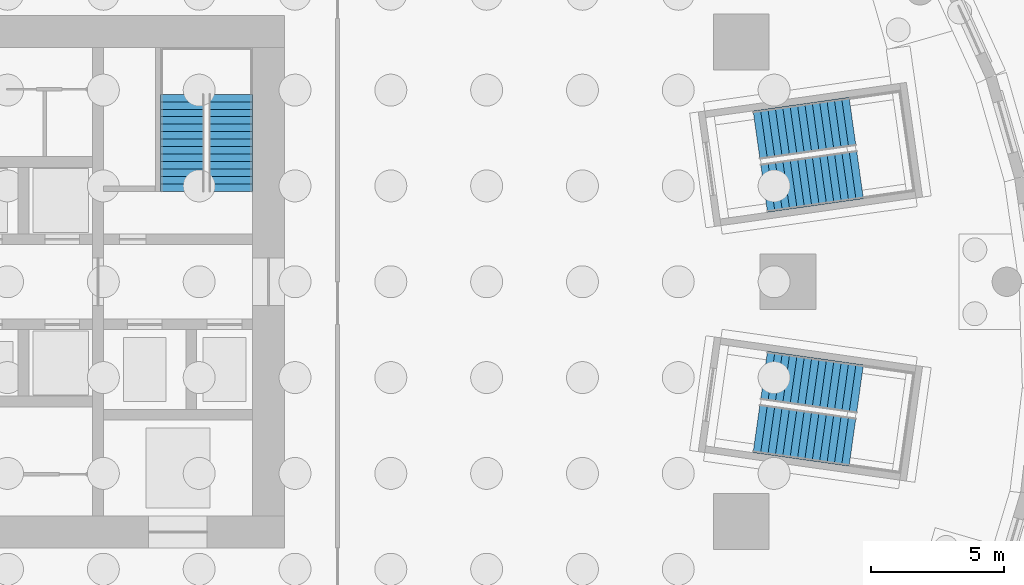
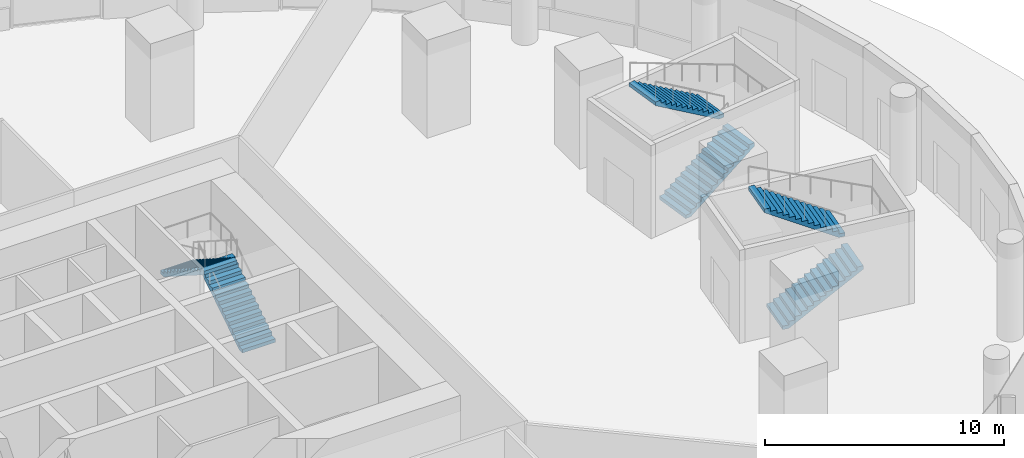
# One storey, part 16 of 29: 6 stair flights, 3 elements without a shape of their own.
"""IFC4 building model written with IfcOpenShell, lengths in metres."""

from ifc_helpers import new_model, si_unit, direction, frame, origin, place, context, subcontext, project, spatial, polyline, outline, extrude, material, type_object, element, aggregate, save


model = new_model("IFC4")

# Units and contexts
model_context = context("Model", 3, precision=1e-05, world=origin(), true_north=direction((0.0, 1.0)))
body_context = subcontext(model_context, "Body", "Model", "MODEL_VIEW")
ifc_project = project(units=[si_unit("LENGTHUNIT", "METRE"), si_unit("AREAUNIT", "SQUARE_METRE"), si_unit("VOLUMEUNIT", "CUBIC_METRE"), si_unit("PLANEANGLEUNIT", "RADIAN"), si_unit("MASSUNIT", "GRAM", prefix="KILO")], contexts=[model_context])

# Site, building, storey
site_placement = place(None, origin())
site = spatial("IfcSite", under=ifc_project, at=site_placement, CompositionType="ELEMENT")
building_placement = place(site_placement, origin())
building = spatial("IfcBuilding", under=site, at=building_placement, Name="Ghaith Harvest Tower", CompositionType="ELEMENT")
storey_placement = place(building_placement, origin())
storey = spatial("IfcBuildingStorey", under=building, at=storey_placement, Name="L00", CompositionType="ELEMENT", Elevation=0.0)

# Stair, stair flights
ifc_material_1 = material(Name="Concrete C40/50, precast", Category="concrete")
stair_type_1 = type_object("IfcStairType", Name="CORE STAIR 28R", PredefinedType="HALF_TURN_STAIR", material=ifc_material_1)
stair_1_placement = place(storey_placement, origin())
stair_1 = element("IfcStair", 1, at=stair_1_placement, inside=storey, type_object=stair_type_1, Name="Stair ST2 L00", PredefinedType="HALF_TURN_STAIR")
ifc_material_2 = material(Name="Concrete C40/50, precast", Category="concrete")
stair_flight_type_1 = type_object("IfcStairFlightType", Name="CORE FLIGHT 14R 1600", PredefinedType="STRAIGHT", material=ifc_material_2)
stair_flight_1_placement = place(storey_placement, frame((12.0, 3.39990234375, 0.0), z_axis=(0.0, 0.0, 1.0), x_axis=(0.0, 1.0, 0.0)))
stair_flight_1 = element("IfcStairFlight", 2, at=stair_flight_1_placement, type_object=stair_flight_type_1, Name="ST2 flight 1", NumberOfRisers=14, NumberOfTreads=13, PredefinedType="STRAIGHT", RiserHeight=0.178571429, TreadLength=0.28, context=body_context, shape_type="SweptSolid", body=[
    extrude(outline(polyline([(0.0, 0.0), (0.0, 0.178466796875), (0.280029296875, 0.178466796875), (0.280029296875, 0.357177734375), (0.56005859375, 0.357177734375), (0.56005859375, 0.53564453125), (0.840087890625, 0.53564453125), (0.840087890625, 0.71435546875), (1.1201171875, 0.71435546875), (1.1201171875, 0.892822265625), (1.39990234375, 0.892822265625), (1.39990234375, 1.071533203125), (1.679931640625, 1.071533203125), (1.679931640625, 1.25), (1.9599609375, 1.25), (1.9599609375, 1.428466796875), (2.239990234375, 1.428466796875), (2.239990234375, 1.607177734375), (2.52001953125, 1.607177734375), (2.52001953125, 1.78564453125), (2.800048828125, 1.78564453125), (2.800048828125, 1.96435546875), (3.080078125, 1.96435546875), (3.080078125, 2.142822265625), (3.360107421875, 2.142822265625), (3.360107421875, 2.321533203125), (3.639892578125, 2.321533203125), (3.639892578125, 2.5), (3.639892578125, 2.1435546875), (0.27880859375, 0.0), (0.0, 0.0)])), frame((0.0, 0.800048828125, 0.0), z_axis=(0.0, -1.0, 0.0), x_axis=(1.0, 0.0, 0.0)), (0.0, 0.0, 1.0), 1.60009765625),
])
stair_flight_2_placement = place(storey_placement, frame((10.14990234375, 7.0400390625, 2.5), z_axis=(0.0, 0.0, 1.0), x_axis=(0.0, -1.0, 0.0)))
stair_flight_2 = element("IfcStairFlight", 3, at=stair_flight_2_placement, type_object=stair_flight_type_1, Name="ST2 flight 2", NumberOfRisers=14, NumberOfTreads=13, PredefinedType="STRAIGHT", RiserHeight=0.178571429, TreadLength=0.28, context=body_context, shape_type="SweptSolid", body=[
    extrude(outline(polyline([(0.0, 0.0), (0.0, 0.178466796875), (0.280029296875, 0.178466796875), (0.280029296875, 0.357177734375), (0.56005859375, 0.357177734375), (0.56005859375, 0.53564453125), (0.840087890625, 0.53564453125), (0.840087890625, 0.71435546875), (1.1201171875, 0.71435546875), (1.1201171875, 0.892822265625), (1.39990234375, 0.892822265625), (1.39990234375, 1.071533203125), (1.679931640625, 1.071533203125), (1.679931640625, 1.25), (1.9599609375, 1.25), (1.9599609375, 1.428466796875), (2.239990234375, 1.428466796875), (2.239990234375, 1.607177734375), (2.52001953125, 1.607177734375), (2.52001953125, 1.78564453125), (2.800048828125, 1.78564453125), (2.800048828125, 1.96435546875), (3.080078125, 1.96435546875), (3.080078125, 2.142822265625), (3.360107421875, 2.142822265625), (3.360107421875, 2.321533203125), (3.639892578125, 2.321533203125), (3.639892578125, 2.5), (3.639892578125, 2.1435546875), (0.27880859375, 0.0), (0.0, 0.0)])), frame((0.0, 0.800048828125, 0.0), z_axis=(0.0, -1.0, 0.0), x_axis=(1.0, 0.0, 0.0)), (0.0, 0.0, 1.0), 1.60009765625),
])
aggregate(stair_1, [stair_flight_1, stair_flight_2])

ifc_material_3 = material(Name="Concrete C40/50, precast", Category="concrete")
stair_type_2 = type_object("IfcStairType", Name="PODIUM STAIR 28R", PredefinedType="HALF_TURN_STAIR", material=ifc_material_3)
stair_2_placement = place(storey_placement, origin())
stair_2 = element("IfcStair", 4, at=stair_2_placement, inside=storey, type_object=stair_type_2, Name="Stair PS1 L00", PredefinedType="HALF_TURN_STAIR")
ifc_material_4 = material(Name="Concrete C40/50, precast", Category="concrete")
stair_flight_type_2 = type_object("IfcStairFlightType", Name="PODIUM FLIGHT 14R 1800", PredefinedType="STRAIGHT", material=ifc_material_4)
stair_flight_3_placement = place(storey_placement, frame((32.025634765625, 3.5, 0.0), z_axis=(0.0, 0.0, 1.0), x_axis=(0.99012129307, 0.140213497958, 0.0)))
stair_flight_3 = element("IfcStairFlight", 5, at=stair_flight_3_placement, type_object=stair_flight_type_2, Name="PS1 flight 1", NumberOfRisers=14, NumberOfTreads=13, PredefinedType="STRAIGHT", RiserHeight=0.178571429, TreadLength=0.28, context=body_context, shape_type="SweptSolid", body=[
    extrude(outline(polyline([(0.0, 0.0), (0.0, 0.178466796875), (0.280029296875, 0.178466796875), (0.280029296875, 0.357177734375), (0.56005859375, 0.357177734375), (0.56005859375, 0.53564453125), (0.840087890625, 0.53564453125), (0.840087890625, 0.71435546875), (1.1201171875, 0.71435546875), (1.1201171875, 0.892822265625), (1.39990234375, 0.892822265625), (1.39990234375, 1.071533203125), (1.679931640625, 1.071533203125), (1.679931640625, 1.25), (1.9599609375, 1.25), (1.9599609375, 1.428466796875), (2.239990234375, 1.428466796875), (2.239990234375, 1.607177734375), (2.52001953125, 1.607177734375), (2.52001953125, 1.78564453125), (2.800048828125, 1.78564453125), (2.800048828125, 1.96435546875), (3.080078125, 1.96435546875), (3.080078125, 2.142822265625), (3.360107421875, 2.142822265625), (3.360107421875, 2.321533203125), (3.639892578125, 2.321533203125), (3.639892578125, 2.5), (3.639892578125, 2.1435546875), (0.27880859375, 0.0), (0.0, 0.0)])), frame((0.0, 0.89990234375, 0.0), z_axis=(0.0, -1.0, 0.0), x_axis=(1.0, 0.0, 0.0)), (0.0, 0.0, 1.0), 1.800048828125),
])
stair_flight_4_placement = place(storey_placement, frame((35.34228515625, 6.0400390625, 2.5), z_axis=(0.0, 0.0, 1.0), x_axis=(-0.99012129307, -0.140213497958, 0.0)))
stair_flight_4 = element("IfcStairFlight", 6, at=stair_flight_4_placement, type_object=stair_flight_type_2, Name="PS1 flight 2", NumberOfRisers=14, NumberOfTreads=13, PredefinedType="STRAIGHT", RiserHeight=0.178571429, TreadLength=0.28, context=body_context, shape_type="SweptSolid", body=[
    extrude(outline(polyline([(0.0, 0.0), (0.0, 0.178466796875), (0.280029296875, 0.178466796875), (0.280029296875, 0.357177734375), (0.56005859375, 0.357177734375), (0.56005859375, 0.53564453125), (0.840087890625, 0.53564453125), (0.840087890625, 0.71435546875), (1.1201171875, 0.71435546875), (1.1201171875, 0.892822265625), (1.39990234375, 0.892822265625), (1.39990234375, 1.071533203125), (1.679931640625, 1.071533203125), (1.679931640625, 1.25), (1.9599609375, 1.25), (1.9599609375, 1.428466796875), (2.239990234375, 1.428466796875), (2.239990234375, 1.607177734375), (2.52001953125, 1.607177734375), (2.52001953125, 1.78564453125), (2.800048828125, 1.78564453125), (2.800048828125, 1.96435546875), (3.080078125, 1.96435546875), (3.080078125, 2.142822265625), (3.360107421875, 2.142822265625), (3.360107421875, 2.321533203125), (3.639892578125, 2.321533203125), (3.639892578125, 2.5), (3.639892578125, 2.1435546875), (0.27880859375, 0.0), (0.0, 0.0)])), frame((0.0, 0.89990234375, 0.0), z_axis=(0.0, -1.0, 0.0), x_axis=(1.0, 0.0, 0.0)), (0.0, 0.0, 1.0), 1.800048828125),
])
aggregate(stair_2, [stair_flight_3, stair_flight_4])

stair_3_placement = place(storey_placement, origin())
stair_3 = element("IfcStair", 7, at=stair_3_placement, inside=storey, type_object=stair_type_2, Name="Stair PS4 L00", PredefinedType="HALF_TURN_STAIR")
stair_flight_5_placement = place(storey_placement, frame((31.73828125, -5.52978515625, 0.0), z_axis=(0.0, 0.0, 1.0), x_axis=(0.990121293058, -0.140213498045, 0.0)))
stair_flight_5 = element("IfcStairFlight", 8, at=stair_flight_5_placement, type_object=stair_flight_type_2, Name="PS4 flight 1", NumberOfRisers=14, NumberOfTreads=13, PredefinedType="STRAIGHT", RiserHeight=0.178571429, TreadLength=0.28, context=body_context, shape_type="SweptSolid", body=[
    extrude(outline(polyline([(0.0, 0.0), (0.0, 0.178466796875), (0.280029296875, 0.178466796875), (0.280029296875, 0.357177734375), (0.56005859375, 0.357177734375), (0.56005859375, 0.53564453125), (0.840087890625, 0.53564453125), (0.840087890625, 0.71435546875), (1.1201171875, 0.71435546875), (1.1201171875, 0.892822265625), (1.39990234375, 0.892822265625), (1.39990234375, 1.071533203125), (1.679931640625, 1.071533203125), (1.679931640625, 1.25), (1.9599609375, 1.25), (1.9599609375, 1.428466796875), (2.239990234375, 1.428466796875), (2.239990234375, 1.607177734375), (2.52001953125, 1.607177734375), (2.52001953125, 1.78564453125), (2.800048828125, 1.78564453125), (2.800048828125, 1.96435546875), (3.080078125, 1.96435546875), (3.080078125, 2.142822265625), (3.360107421875, 2.142822265625), (3.360107421875, 2.321533203125), (3.639892578125, 2.321533203125), (3.639892578125, 2.5), (3.639892578125, 2.1435546875), (0.27880859375, 0.0), (0.0, 0.0)])), frame((0.0, 0.89990234375, 0.0), z_axis=(0.0, -1.0, 0.0), x_axis=(1.0, 0.0, 0.0)), (0.0, 0.0, 1.0), 1.800048828125),
])
stair_flight_6_placement = place(storey_placement, frame((35.629638671875, -4.010498046875, 2.5), z_axis=(0.0, 0.0, 1.0), x_axis=(-0.990121293058, 0.140213498045, 0.0)))
stair_flight_6 = element("IfcStairFlight", 9, at=stair_flight_6_placement, type_object=stair_flight_type_2, Name="PS4 flight 2", NumberOfRisers=14, NumberOfTreads=13, PredefinedType="STRAIGHT", RiserHeight=0.178571429, TreadLength=0.28, context=body_context, shape_type="SweptSolid", body=[
    extrude(outline(polyline([(0.0, 0.0), (0.0, 0.178466796875), (0.280029296875, 0.178466796875), (0.280029296875, 0.357177734375), (0.56005859375, 0.357177734375), (0.56005859375, 0.53564453125), (0.840087890625, 0.53564453125), (0.840087890625, 0.71435546875), (1.1201171875, 0.71435546875), (1.1201171875, 0.892822265625), (1.39990234375, 0.892822265625), (1.39990234375, 1.071533203125), (1.679931640625, 1.071533203125), (1.679931640625, 1.25), (1.9599609375, 1.25), (1.9599609375, 1.428466796875), (2.239990234375, 1.428466796875), (2.239990234375, 1.607177734375), (2.52001953125, 1.607177734375), (2.52001953125, 1.78564453125), (2.800048828125, 1.78564453125), (2.800048828125, 1.96435546875), (3.080078125, 1.96435546875), (3.080078125, 2.142822265625), (3.360107421875, 2.142822265625), (3.360107421875, 2.321533203125), (3.639892578125, 2.321533203125), (3.639892578125, 2.5), (3.639892578125, 2.1435546875), (0.27880859375, 0.0), (0.0, 0.0)])), frame((0.0, 0.89990234375, 0.0), z_axis=(0.0, -1.0, 0.0), x_axis=(1.0, 0.0, 0.0)), (0.0, 0.0, 1.0), 1.800048828125),
])
aggregate(stair_3, [stair_flight_5, stair_flight_6])

save(model, "model.ifc")
